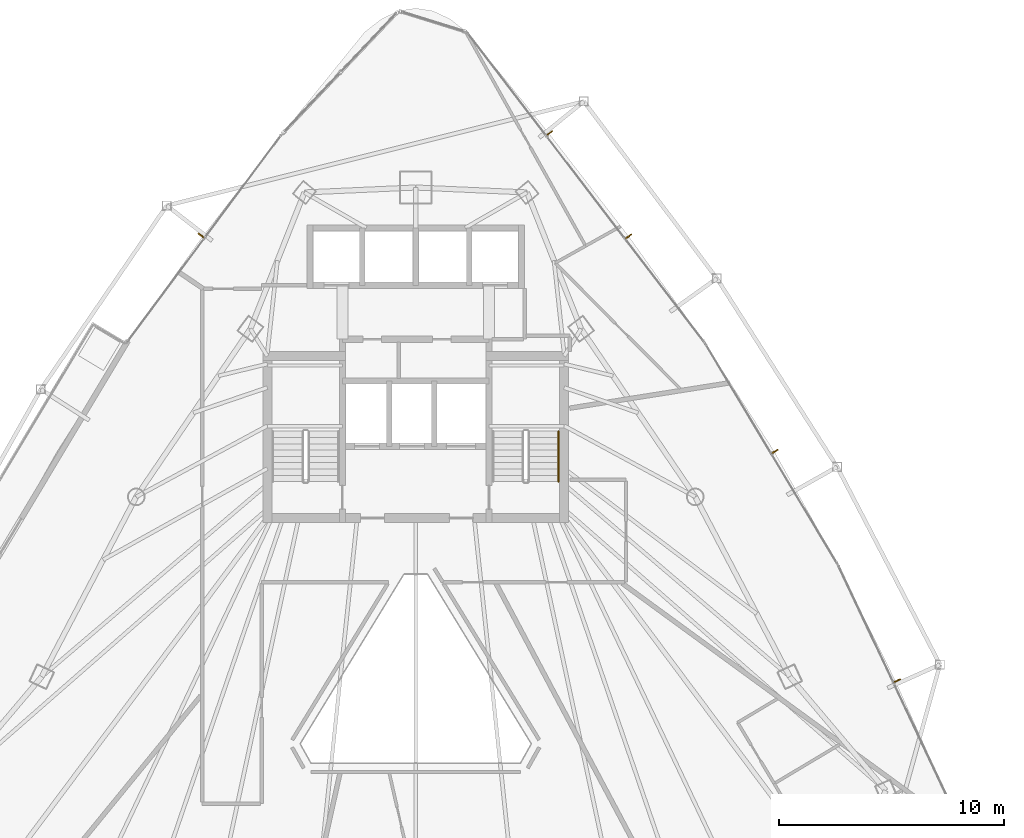
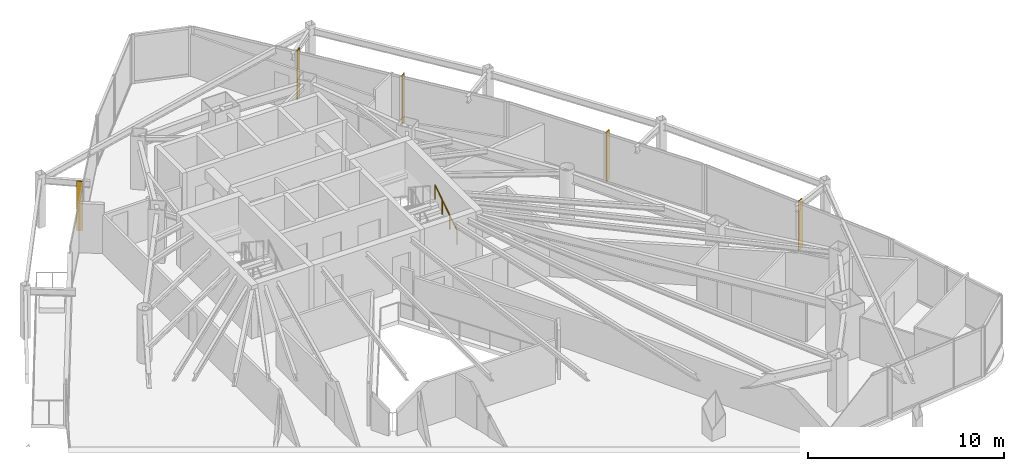
# One storey, part 33 of 33: 5 shading devices, 1 railing.
"""IFC4 building model written with IfcOpenShell, lengths in metres."""

from ifc_helpers import new_model, si_unit, direction, frame, origin, origin_2d, place, context, subcontext, project, spatial, rectangle, circle, extrude, material, layer, layer_set, type_object, element, save


model = new_model("IFC4")

# Units and contexts
model_context = context("Model", 3, precision=1e-05, world=origin(), true_north=direction((0.0, 1.0)))
body_context = subcontext(model_context, "Body", "Model", "MODEL_VIEW")
ifc_project = project(units=[si_unit("LENGTHUNIT", "METRE"), si_unit("AREAUNIT", "SQUARE_METRE"), si_unit("VOLUMEUNIT", "CUBIC_METRE"), si_unit("PLANEANGLEUNIT", "RADIAN"), si_unit("MASSUNIT", "GRAM", prefix="KILO")], contexts=[model_context])

# Site, building, storey
site_placement = place(None, origin())
site = spatial("IfcSite", under=ifc_project, at=site_placement, CompositionType="ELEMENT")
building_placement = place(site_placement, origin())
building = spatial("IfcBuilding", under=site, at=building_placement, Name="Orvanel Arch Residences", CompositionType="ELEMENT")
storey_placement = place(building_placement, frame((0.0, 0.0, 116.60009765625)))
storey = spatial("IfcBuildingStorey", under=building, at=storey_placement, Name="L32", CompositionType="ELEMENT", Elevation=116.60009765625)

# Shading devices
ifc_material_1 = material(Name="Bronze-anodised aluminium AA6063-T6", Category="aluminium")
ifc_layer = layer(ifc_material_1, 0.054931640625)
ifc_layer_set = layer_set([ifc_layer], Name="Bronze-anodised aluminium AA6063-T6")
shading_device_type = type_object("IfcShadingDeviceType", Name="FIN-BRZ-320", PredefinedType="USERDEFINED", material=ifc_layer_set)
for number, where, z_axis, x_axis, name in (
    (1, (23.4580078125, 39.258056640625, -0.000244140625), (0.0, 0.0, 1.0), (-0.801775644244, 0.597625146976, 0.0), "L32 Anodised Bronze Mullion FIN 01"),
    (2, (54.4150390625, 19.465087890625, -0.000244140625), (0.0, 0.0, 1.0), (0.904827052466, 0.425779291565, 0.0), "L32 Anodised Bronze Mullion FIN 01"),
    (3, (48.97412109375, 29.657958984375, -0.000244140625), (0.0, 0.0, 1.0), (0.857167300702, 0.51503807491, 0.0), "L32 Anodised Bronze Mullion FIN 01"),
    (4, (42.468994140625, 39.22412109375, -0.000244140625), (0.0, 0.0, 1.0), (0.793353340291, 0.608761429009, 0.0), "L32 Anodised Bronze Mullion FIN 01"),
    (5, (38.950927734375, 43.81591796875, -0.000244140625), (0.0, 0.0, 1.0), (0.793353340291, 0.608761429009, 0.0), "L32 Anodised Bronze Mullion FIN 02"),
):
    element("IfcShadingDevice", number, at=place(storey_placement, frame(where, z_axis=z_axis, x_axis=x_axis)), inside=storey, type_object=shading_device_type, Name=name, ObjectType="FIN", PredefinedType="USERDEFINED", context=body_context, shape_type="SweptSolid", body=[
        extrude(rectangle(XDim=0.320068359375, YDim=0.054931640625, at=origin_2d()), origin(), (0.0, 0.0, 1.0), 3.06005859375),
    ])

# Railing
ifc_material_2 = material(Name="Structural steel AS/NZS 1163 C350L0 (Grade 350)", Category="steel")
railing_type = type_object("IfcRailingType", Name="RL-STAIR-HAND", PredefinedType="HANDRAIL", material=ifc_material_2)
railing_placement = place(storey_placement, frame((39.35009765625, 28.320068359375, 0.183349609375)))
element("IfcRailing", 6, at=railing_placement, inside=storey, type_object=railing_type, Name="L32 ST-2 stair handrail 1", PredefinedType="HANDRAIL", context=body_context, shape_type="SweptSolid", body=[
    extrude(circle(Radius=0.02392578125, at=origin_2d()), frame((0.0, 0.001220703125, 0.876708984375), z_axis=(0.0, 0.836636935527, 0.547757827979), x_axis=(-1.0, 0.0, 0.0)), (0.0, 0.0, 1.0), 2.67431640625),
    extrude(circle(Radius=0.02099609375, at=origin_2d()), origin(), (0.0, 0.0, 1.0), 0.849853515625),
    extrude(circle(Radius=0.02099609375, at=origin_2d()), frame((0.0, 0.74658203125, 0.48876953125)), (0.0, 0.0, 1.0), 0.849853515625),
    extrude(circle(Radius=0.02099609375, at=origin_2d()), frame((0.0, 1.493408203125, 0.977783203125)), (0.0, 0.0, 1.0), 0.849853515625),
    extrude(circle(Radius=0.02099609375, at=origin_2d()), frame((0.0, 2.239990234375, 1.466552734375)), (0.0, 0.0, 1.0), 0.849853515625),
])

save(model, "model.ifc")
